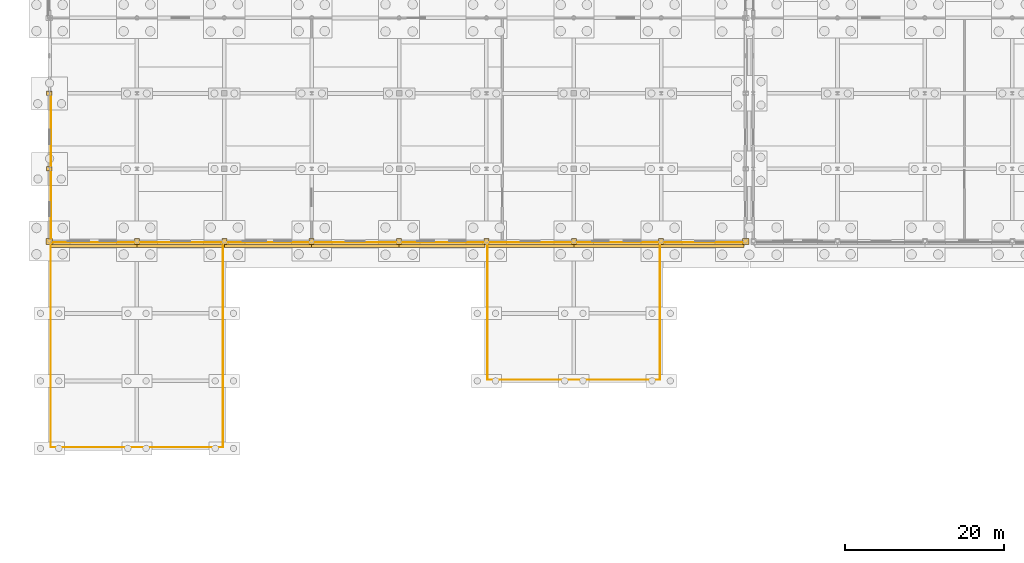
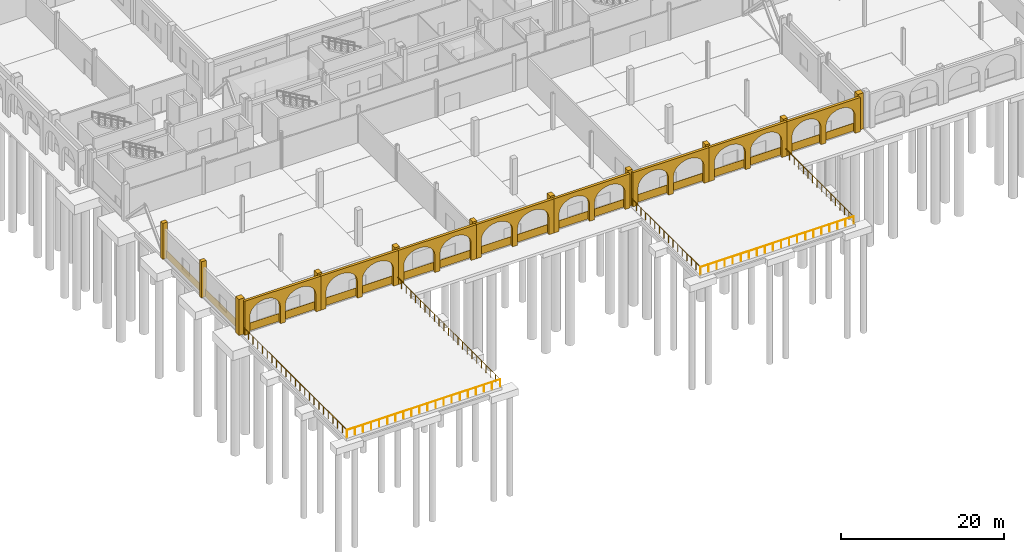
# One storey, part 65 of 83: 29 coverings, 6 railings.
"""IFC4 building model written with IfcOpenShell, lengths in metres."""

from ifc_helpers import new_model, si_unit, direction, frame, frame_2d, origin, origin_2d, place, context, subcontext, project, spatial, polyline, rectangle, circle, outline, extrude, material, layer, layer_set, type_object, element, save


model = new_model("IFC4")

# Units and contexts
model_context = context("Model", 3, precision=1e-05, world=origin(), true_north=direction((0.0, 1.0)))
body_context = subcontext(model_context, "Body", "Model", "MODEL_VIEW")
ifc_project = project(units=[si_unit("LENGTHUNIT", "METRE"), si_unit("AREAUNIT", "SQUARE_METRE"), si_unit("VOLUMEUNIT", "CUBIC_METRE"), si_unit("PLANEANGLEUNIT", "RADIAN"), si_unit("MASSUNIT", "GRAM", prefix="KILO")], contexts=[model_context])

# Site, building, storey
site_placement = place(None, origin())
site = spatial("IfcSite", under=ifc_project, at=site_placement, CompositionType="ELEMENT")
building_placement = place(site_placement, origin())
building = spatial("IfcBuilding", under=site, at=building_placement, Name="Caurita Quay Ferry Terminal", CompositionType="ELEMENT")
storey_placement = place(building_placement, origin())
storey = spatial("IfcBuildingStorey", under=building, at=storey_placement, Name="L00", CompositionType="ELEMENT", Elevation=0.0)

# Coverings
ifc_material_1 = material(Name="Warm-white lime stucco masonry", Category="masonry")
ifc_layer_1 = layer(ifc_material_1, 0.360107421875, Name="Spanish Colonial semicircular lime-stucco portales arcade 360 mm")
ifc_layer_set_1 = layer_set([ifc_layer_1], Name="Warm-white lime stucco masonry")
covering_type_1 = type_object("IfcCoveringType", Name="COV-ARC-CLD", PredefinedType="CLADDING", material=ifc_layer_set_1)
covering_1_placement = place(storey_placement, frame((0.199951171875, 34.0, 0.0), z_axis=(0.0, 0.0, 1.0), x_axis=(1.0, 0.0, 0.0)))
element("IfcCovering", 1, at=covering_1_placement, inside=storey, type_object=covering_type_1, Name="Harbourfront Coral-Stone Portales Arcade 018", PredefinedType="CLADDING", context=body_context, shape_type="SweptSolid", body=[
    extrude(outline(polyline([(0.0, 0.0), (0.719970703125, 0.0), (0.719970703125, 2.60009765625), (0.793701171875, 3.078857421875), (1.00927734375, 3.52490234375), (1.3525390625, 3.908203125), (1.800048828125, 4.2021484375), (2.321044921875, 4.386962890625), (2.880126953125, 4.449951171875), (3.43896484375, 4.386962890625), (3.9599609375, 4.2021484375), (4.407470703125, 3.908203125), (4.750732421875, 3.52490234375), (4.96630859375, 3.078857421875), (5.0400390625, 2.60009765625), (5.0400390625, 0.0), (5.760009765625, 0.0), (5.760009765625, 2.60009765625), (5.833740234375, 3.078857421875), (6.04931640625, 3.52490234375), (6.392578125, 3.908203125), (6.840087890625, 4.2021484375), (7.361083984375, 4.386962890625), (7.919921875, 4.449951171875), (8.47900390625, 4.386962890625), (9.0, 4.2021484375), (9.447509765625, 3.908203125), (9.790771484375, 3.52490234375), (10.00634765625, 3.078857421875), (10.080078125, 2.60009765625), (10.080078125, 0.0), (10.800048828125, 0.0), (10.800048828125, 5.1201171875), (0.0, 5.1201171875), (0.0, 0.0)])), frame((0.0, 0.18017578125, 0.0), z_axis=(0.0, -1.0, 0.0), x_axis=(1.0, 0.0, 0.0)), (0.0, 0.0, 1.0), 0.360107421875),
])
for number, where, z_axis, x_axis, name in (
    (2, (11.0, 34.0, 0.0), (0.0, 0.0, 1.0), (1.0, 0.0, 0.0), "Harbourfront Coral-Stone Portales Arcade 019"),
    (3, (22.0, 34.0, 0.0), (0.0, 0.0, 1.0), (1.0, 0.0, 0.0), "Harbourfront Coral-Stone Portales Arcade 020"),
    (4, (33.0, 34.0, 0.0), (0.0, 0.0, 1.0), (1.0, 0.0, 0.0), "Harbourfront Coral-Stone Portales Arcade 021"),
):
    element("IfcCovering", number, at=place(storey_placement, frame(where, z_axis=z_axis, x_axis=x_axis)), inside=storey, type_object=covering_type_1, Name=name, PredefinedType="CLADDING", context=body_context, shape_type="SweptSolid", body=[
        extrude(outline(polyline([(0.0, 0.0), (0.719970703125, 0.0), (0.719970703125, 2.60009765625), (0.79541015625, 3.078857421875), (1.01611328125, 3.52490234375), (1.3671875, 3.908203125), (1.824951171875, 4.2021484375), (2.35791015625, 4.386962890625), (2.929931640625, 4.449951171875), (3.501953125, 4.386962890625), (4.034912109375, 4.2021484375), (4.49267578125, 3.908203125), (4.843994140625, 3.52490234375), (5.064697265625, 3.078857421875), (5.139892578125, 2.60009765625), (5.139892578125, 0.0), (5.860107421875, 0.0), (5.860107421875, 2.60009765625), (5.935302734375, 3.078857421875), (6.156005859375, 3.52490234375), (6.50732421875, 3.908203125), (6.965087890625, 4.2021484375), (7.498046875, 4.386962890625), (8.070068359375, 4.449951171875), (8.64208984375, 4.386962890625), (9.175048828125, 4.2021484375), (9.6328125, 3.908203125), (9.98388671875, 3.52490234375), (10.20458984375, 3.078857421875), (10.280029296875, 2.60009765625), (10.280029296875, 0.0), (11.0, 0.0), (11.0, 5.1201171875), (0.0, 5.1201171875), (0.0, 0.0)])), frame((0.0, 0.18017578125, 0.0), z_axis=(0.0, -1.0, 0.0), x_axis=(1.0, 0.0, 0.0)), (0.0, 0.0, 1.0), 0.360107421875),
    ])
for number, where, z_axis, x_axis, name in (
    (5, (44.0, 34.0, 0.0), (0.0, 0.0, 1.0), (1.0, 0.0, 0.0), "Harbourfront Coral-Stone Portales Arcade 022"),
    (6, (55.199951171875, 34.0, 0.0), (0.0, 0.0, 1.0), (1.0, 0.0, 0.0), "Harbourfront Coral-Stone Portales Arcade 023"),
):
    element("IfcCovering", number, at=place(storey_placement, frame(where, z_axis=z_axis, x_axis=x_axis)), inside=storey, type_object=covering_type_1, Name=name, PredefinedType="CLADDING", context=body_context, shape_type="SweptSolid", body=[
        extrude(outline(polyline([(0.0, 0.0), (0.719970703125, 0.0), (0.719970703125, 2.60009765625), (0.793701171875, 3.078857421875), (1.00927734375, 3.52490234375), (1.3525390625, 3.908203125), (1.800048828125, 4.2021484375), (2.321044921875, 4.386962890625), (2.880126953125, 4.449951171875), (3.43896484375, 4.386962890625), (3.9599609375, 4.2021484375), (4.407470703125, 3.908203125), (4.750732421875, 3.52490234375), (4.96630859375, 3.078857421875), (5.0400390625, 2.60009765625), (5.0400390625, 0.0), (5.760009765625, 0.0), (5.760009765625, 2.60009765625), (5.833740234375, 3.078857421875), (6.04931640625, 3.52490234375), (6.392578125, 3.908203125), (6.840087890625, 4.2021484375), (7.361083984375, 4.386962890625), (7.919921875, 4.449951171875), (8.47900390625, 4.386962890625), (9.0, 4.2021484375), (9.447509765625, 3.908203125), (9.790771484375, 3.52490234375), (10.00634765625, 3.078857421875), (10.080078125, 2.60009765625), (10.080078125, 0.0), (10.800048828125, 0.0), (10.800048828125, 5.1201171875), (0.0, 5.1201171875), (0.0, 0.0)])), frame((0.0, 0.18017578125, 0.0), z_axis=(0.0, -1.0, 0.0), x_axis=(1.0, 0.0, 0.0)), (0.0, 0.0, 1.0), 0.360107421875),
    ])
covering_2_placement = place(storey_placement, frame((66.0, 34.0, 0.0), z_axis=(0.0, 0.0, 1.0), x_axis=(1.0, 0.0, 0.0)))
element("IfcCovering", 7, at=covering_2_placement, inside=storey, type_object=covering_type_1, Name="Harbourfront Coral-Stone Portales Arcade 024", PredefinedType="CLADDING", context=body_context, shape_type="SweptSolid", body=[
    extrude(outline(polyline([(0.0, 0.0), (0.719970703125, 0.0), (0.719970703125, 2.60009765625), (0.79541015625, 3.078857421875), (1.01611328125, 3.52490234375), (1.3671875, 3.908203125), (1.824951171875, 4.2021484375), (2.35791015625, 4.386962890625), (2.929931640625, 4.449951171875), (3.501953125, 4.386962890625), (4.034912109375, 4.2021484375), (4.49267578125, 3.908203125), (4.843994140625, 3.52490234375), (5.064697265625, 3.078857421875), (5.139892578125, 2.60009765625), (5.139892578125, 0.0), (5.860107421875, 0.0), (5.860107421875, 2.60009765625), (5.935302734375, 3.078857421875), (6.156005859375, 3.52490234375), (6.50732421875, 3.908203125), (6.965087890625, 4.2021484375), (7.498046875, 4.386962890625), (8.070068359375, 4.449951171875), (8.64208984375, 4.386962890625), (9.175048828125, 4.2021484375), (9.6328125, 3.908203125), (9.98388671875, 3.52490234375), (10.20458984375, 3.078857421875), (10.280029296875, 2.60009765625), (10.280029296875, 0.0), (11.0, 0.0), (11.0, 5.1201171875), (0.0, 5.1201171875), (0.0, 0.0)])), frame((0.0, 0.18017578125, 0.0), z_axis=(0.0, -1.0, 0.0), x_axis=(1.0, 0.0, 0.0)), (0.0, 0.0, 1.0), 0.360107421875),
])
covering_3_placement = place(storey_placement, frame((77.0, 34.0, 0.0), z_axis=(0.0, 0.0, 1.0), x_axis=(1.0, 0.0, 0.0)))
element("IfcCovering", 8, at=covering_3_placement, inside=storey, type_object=covering_type_1, Name="Harbourfront Coral-Stone Portales Arcade 025", PredefinedType="CLADDING", context=body_context, shape_type="SweptSolid", body=[
    extrude(outline(polyline([(0.0, 0.0), (0.719970703125, 0.0), (0.719970703125, 2.60009765625), (0.790283203125, 3.078857421875), (0.99609375, 3.52490234375), (1.3232421875, 3.908203125), (1.75, 4.2021484375), (2.246826171875, 4.386962890625), (2.780029296875, 4.449951171875), (3.313232421875, 4.386962890625), (3.81005859375, 4.2021484375), (4.236572265625, 3.908203125), (4.56396484375, 3.52490234375), (4.769775390625, 3.078857421875), (4.83984375, 2.60009765625), (4.83984375, 0.0), (5.56005859375, 0.0), (5.56005859375, 2.60009765625), (5.630126953125, 3.078857421875), (5.8359375, 3.52490234375), (6.163330078125, 3.908203125), (6.58984375, 4.2021484375), (7.086669921875, 4.386962890625), (7.619873046875, 4.449951171875), (8.153076171875, 4.386962890625), (8.64990234375, 4.2021484375), (9.07666015625, 3.908203125), (9.40380859375, 3.52490234375), (9.609619140625, 3.078857421875), (9.679931640625, 2.60009765625), (9.679931640625, 0.0), (10.39990234375, 0.0), (10.39990234375, 5.1201171875), (0.0, 5.1201171875), (0.0, 0.0)])), frame((0.0, 0.18017578125, 0.0), z_axis=(0.0, -1.0, 0.0), x_axis=(1.0, 0.0, 0.0)), (0.0, 0.0, 1.0), 0.360107421875),
])
ifc_material_2 = material(Name="Coral stone ashlar cladding", Category="masonry")
ifc_layer_2 = layer(ifc_material_2, 0.054931640625, Name="Rusticated coral-stone basamento plinth cladding 55 mm")
ifc_layer_set_2 = layer_set([ifc_layer_2], Name="Coral stone ashlar cladding")
covering_type_2 = type_object("IfcCoveringType", Name="COV-CORAL-CLD", PredefinedType="CLADDING", material=ifc_layer_set_2)
for number, where, z_axis, x_axis, name in (
    (9, (0.24609375, 34.405029296875, 0.0), (0.0, 0.0, 1.0), (1.0, 0.0, 0.0), "Coral-Stone Basamento Cladding 123"),
    (10, (11.24609375, 34.405029296875, 0.0), (0.0, 0.0, 1.0), (1.0, 0.0, 0.0), "Coral-Stone Basamento Cladding 124"),
    (11, (22.24609375, 34.405029296875, 0.0), (0.0, 0.0, 1.0), (1.0, 0.0, 0.0), "Coral-Stone Basamento Cladding 125"),
    (12, (33.24609375, 34.405029296875, 0.0), (0.0, 0.0, 1.0), (1.0, 0.0, 0.0), "Coral-Stone Basamento Cladding 126"),
    (13, (44.24609375, 34.405029296875, 0.0), (0.0, 0.0, 1.0), (1.0, 0.0, 0.0), "Coral-Stone Basamento Cladding 127"),
    (14, (55.24609375, 34.405029296875, 0.0), (0.0, 0.0, 1.0), (1.0, 0.0, 0.0), "Coral-Stone Basamento Cladding 128"),
    (15, (66.24609375, 34.405029296875, 0.0), (0.0, 0.0, 1.0), (1.0, 0.0, 0.0), "Coral-Stone Basamento Cladding 129"),
):
    element("IfcCovering", number, at=place(storey_placement, frame(where, z_axis=z_axis, x_axis=x_axis)), inside=storey, type_object=covering_type_2, Name=name, PredefinedType="CLADDING", context=body_context, shape_type="SweptSolid", body=[
        extrude(rectangle(XDim=10.5078125, YDim=0.054931640625, at=frame_2d((5.25390625, 0.0))), origin(), (0.0, 0.0, 1.0), 1.14990234375),
    ])
covering_4_placement = place(storey_placement, frame((77.24609375, 34.405029296875, 0.0), z_axis=(0.0, 0.0, 1.0), x_axis=(1.0, 0.0, 0.0)))
element("IfcCovering", 16, at=covering_4_placement, inside=storey, type_object=covering_type_2, Name="Coral-Stone Basamento Cladding 130", PredefinedType="CLADDING", context=body_context, shape_type="SweptSolid", body=[
    extrude(rectangle(XDim=10.10791015625, YDim=0.054931640625, at=frame_2d((5.053955078125, 0.0))), origin(), (0.0, 0.0, 1.0), 1.14990234375),
])
covering_5_placement = place(storey_placement, frame((0.195068359375, 34.845947265625, 0.0), z_axis=(0.0, 0.0, 1.0), x_axis=(0.0, 1.0, 0.0)))
element("IfcCovering", 17, at=covering_5_placement, inside=storey, type_object=covering_type_2, Name="Coral-Stone Basamento Cladding 131", PredefinedType="CLADDING", context=body_context, shape_type="SweptSolid", body=[
    extrude(rectangle(XDim=8.647705078125, YDim=0.054931640625, at=frame_2d((4.32373046875, 0.0))), origin(), (0.0, 0.0, 1.0), 1.14990234375),
])
covering_6_placement = place(storey_placement, frame((0.195068359375, 43.90625, 0.0), z_axis=(0.0, 0.0, 1.0), x_axis=(0.0, 1.0, 0.0)))
element("IfcCovering", 18, at=covering_6_placement, inside=storey, type_object=covering_type_2, Name="Coral-Stone Basamento Cladding 132", PredefinedType="CLADDING", context=body_context, shape_type="SweptSolid", body=[
    extrude(rectangle(XDim=9.08740234375, YDim=0.054931640625, at=frame_2d((4.543701171875, 0.0))), origin(), (0.0, 0.0, 1.0), 1.14990234375),
])
ifc_layer_3 = layer(ifc_material_1, 0.179931640625, Name="Classical engaged lime-stucco facade pilaster cladding 180 mm")
ifc_layer_set_3 = layer_set([ifc_layer_3], Name="Warm-white lime stucco masonry")
covering_type_3 = type_object("IfcCoveringType", Name="COV-PIL-CLD", PredefinedType="CLADDING", material=ifc_layer_set_3)
covering_7_placement = place(storey_placement, frame((-0.050048828125, 34.550048828125, 0.0), z_axis=(0.0, 0.0, 1.0), x_axis=(1.0, 0.0, 0.0)))
element("IfcCovering", 19, at=covering_7_placement, inside=storey, type_object=covering_type_3, Name="L00 Classical Engaged Pilaster 0001", PredefinedType="CLADDING", context=body_context, shape_type="SweptSolid", body=[
    extrude(rectangle(XDim=0.7880859375, YDim=0.7880859375, at=origin_2d()), origin(), (0.0, 0.0, 1.0), 5.39990234375),
])
for number, where, z_axis, x_axis, name in (
    (20, (-0.050048828125, 43.699951171875, 0.0), (0.0, 0.0, 1.0), (1.0, 0.0, 0.0), "L00 Classical Engaged Pilaster 0008"),
    (21, (-0.050048828125, 53.199951171875, 0.0), (0.0, 0.0, 1.0), (1.0, 0.0, 0.0), "L00 Classical Engaged Pilaster 0011"),
):
    element("IfcCovering", number, at=place(storey_placement, frame(where, z_axis=z_axis, x_axis=x_axis)), inside=storey, type_object=covering_type_3, Name=name, PredefinedType="CLADDING", context=body_context, shape_type="SweptSolid", body=[
        extrude(rectangle(XDim=0.686279296875, YDim=0.53662109375, at=origin_2d()), origin(), (0.0, 0.0, 1.0), 5.39990234375),
    ])
for number, where, z_axis, x_axis, name in (
    (22, (11.0, 34.550048828125, 0.0), (0.0, 0.0, 1.0), (1.0, 0.0, 0.0), "L00 Classical Engaged Pilaster 0018"),
    (23, (22.0, 34.550048828125, 0.0), (0.0, 0.0, 1.0), (1.0, 0.0, 0.0), "L00 Classical Engaged Pilaster 0026"),
    (24, (33.0, 34.550048828125, 0.0), (0.0, 0.0, 1.0), (1.0, 0.0, 0.0), "L00 Classical Engaged Pilaster 0033"),
    (25, (44.0, 34.550048828125, 0.0), (0.0, 0.0, 1.0), (1.0, 0.0, 0.0), "L00 Classical Engaged Pilaster 0040"),
    (26, (55.0, 34.550048828125, 0.0), (0.0, 0.0, 1.0), (1.0, 0.0, 0.0), "L00 Classical Engaged Pilaster 0047"),
    (27, (66.0, 34.550048828125, 0.0), (0.0, 0.0, 1.0), (1.0, 0.0, 0.0), "L00 Classical Engaged Pilaster 0054"),
    (28, (77.0, 34.550048828125, 0.0), (0.0, 0.0, 1.0), (1.0, 0.0, 0.0), "L00 Classical Engaged Pilaster 0061"),
):
    element("IfcCovering", number, at=place(storey_placement, frame(where, z_axis=z_axis, x_axis=x_axis)), inside=storey, type_object=covering_type_3, Name=name, PredefinedType="CLADDING", context=body_context, shape_type="SweptSolid", body=[
        extrude(rectangle(XDim=0.6279296875, YDim=0.7880859375, at=origin_2d()), origin(), (0.0, 0.0, 1.0), 5.39990234375),
    ])
covering_8_placement = place(storey_placement, frame((87.64990234375, 34.550048828125, 0.0), z_axis=(0.0, 0.0, 1.0), x_axis=(1.0, 0.0, 0.0)))
element("IfcCovering", 29, at=covering_8_placement, inside=storey, type_object=covering_type_3, Name="L00 Classical Engaged Pilaster 0069", PredefinedType="CLADDING", context=body_context, shape_type="SweptSolid", body=[
    extrude(rectangle(XDim=0.7880859375, YDim=0.7880859375, at=origin_2d()), origin(), (0.0, 0.0, 1.0), 5.39990234375),
])

# Railings
ifc_material_3 = material(Name="Bronze architectural metalwork", Category="metal")
railing_type = type_object("IfcRailingType", Name="RL-QUAY-115", PredefinedType="GUARDRAIL", material=ifc_material_3)
railing_1_placement = place(storey_placement, frame((0.14990234375, 34.0, 0.0)))
element("IfcRailing", 30, at=railing_1_placement, inside=storey, type_object=railing_type, Name="West Quay Pier Guardrail (001)", PredefinedType="GUARDRAIL", context=body_context, shape_type="SweptSolid", body=[
    extrude(circle(Radius=0.02392578125, at=origin_2d()), frame((0.0, 0.0, 1.1259765625), z_axis=(0.0, -1.0, 0.0), x_axis=(1.0, 0.0, 0.0)), (0.0, 0.0, 1.0), 25.35009765625),
    extrude(circle(Radius=0.02099609375, at=origin_2d()), origin(), (0.0, 0.0, 1.0), 1.101806640625),
    extrude(circle(Radius=0.02099609375, at=origin_2d()), frame((0.0, -1.15234375, 0.0)), (0.0, 0.0, 1.0), 1.101806640625),
    extrude(circle(Radius=0.02099609375, at=origin_2d()), frame((0.0, -2.304443359375, 0.0)), (0.0, 0.0, 1.0), 1.101806640625),
    extrude(circle(Radius=0.02099609375, at=origin_2d()), frame((0.0, -3.456787109375, 0.0)), (0.0, 0.0, 1.0), 1.101806640625),
    extrude(circle(Radius=0.02099609375, at=origin_2d()), frame((0.0, -4.609130859375, 0.0)), (0.0, 0.0, 1.0), 1.101806640625),
    extrude(circle(Radius=0.02099609375, at=origin_2d()), frame((0.0, -5.761474609375, 0.0)), (0.0, 0.0, 1.0), 1.101806640625),
    extrude(circle(Radius=0.02099609375, at=origin_2d()), frame((0.0, -6.91357421875, 0.0)), (0.0, 0.0, 1.0), 1.101806640625),
    extrude(circle(Radius=0.02099609375, at=origin_2d()), frame((0.0, -8.06591796875, 0.0)), (0.0, 0.0, 1.0), 1.101806640625),
    extrude(circle(Radius=0.02099609375, at=origin_2d()), frame((0.0, -9.21826171875, 0.0)), (0.0, 0.0, 1.0), 1.101806640625),
    extrude(circle(Radius=0.02099609375, at=origin_2d()), frame((0.0, -10.37060546875, 0.0)), (0.0, 0.0, 1.0), 1.101806640625),
    extrude(circle(Radius=0.02099609375, at=origin_2d()), frame((0.0, -11.522705078125, 0.0)), (0.0, 0.0, 1.0), 1.101806640625),
    extrude(circle(Radius=0.02099609375, at=origin_2d()), frame((0.0, -12.675048828125, 0.0)), (0.0, 0.0, 1.0), 1.101806640625),
    extrude(circle(Radius=0.02099609375, at=origin_2d()), frame((0.0, -13.827392578125, 0.0)), (0.0, 0.0, 1.0), 1.101806640625),
    extrude(circle(Radius=0.02099609375, at=origin_2d()), frame((0.0, -14.9794921875, 0.0)), (0.0, 0.0, 1.0), 1.101806640625),
    extrude(circle(Radius=0.02099609375, at=origin_2d()), frame((0.0, -16.1318359375, 0.0)), (0.0, 0.0, 1.0), 1.101806640625),
    extrude(circle(Radius=0.02099609375, at=origin_2d()), frame((0.0, -17.2841796875, 0.0)), (0.0, 0.0, 1.0), 1.101806640625),
    extrude(circle(Radius=0.02099609375, at=origin_2d()), frame((0.0, -18.4365234375, 0.0)), (0.0, 0.0, 1.0), 1.101806640625),
    extrude(circle(Radius=0.02099609375, at=origin_2d()), frame((0.0, -19.588623046875, 0.0)), (0.0, 0.0, 1.0), 1.101806640625),
    extrude(circle(Radius=0.02099609375, at=origin_2d()), frame((0.0, -20.740966796875, 0.0)), (0.0, 0.0, 1.0), 1.101806640625),
    extrude(circle(Radius=0.02099609375, at=origin_2d()), frame((0.0, -21.893310546875, 0.0)), (0.0, 0.0, 1.0), 1.101806640625),
    extrude(circle(Radius=0.02099609375, at=origin_2d()), frame((0.0, -23.045654296875, 0.0)), (0.0, 0.0, 1.0), 1.101806640625),
    extrude(circle(Radius=0.02099609375, at=origin_2d()), frame((0.0, -24.19775390625, 0.0)), (0.0, 0.0, 1.0), 1.101806640625),
    extrude(circle(Radius=0.02099609375, at=origin_2d()), frame((0.0, -25.35009765625, 0.0)), (0.0, 0.0, 1.0), 1.101806640625),
])
railing_2_placement = place(storey_placement, frame((0.14990234375, 8.64990234375, 0.0)))
element("IfcRailing", 31, at=railing_2_placement, inside=storey, type_object=railing_type, Name="West Quay Pier Guardrail (002)", PredefinedType="GUARDRAIL", context=body_context, shape_type="SweptSolid", body=[
    extrude(circle(Radius=0.02392578125, at=origin_2d()), frame((0.0, 0.0, 1.1259765625), z_axis=(1.0, 0.0, 0.0), x_axis=(0.0, 1.0, 0.0)), (0.0, 0.0, 1.0), 21.7001953125),
    extrude(circle(Radius=0.02099609375, at=origin_2d()), origin(), (0.0, 0.0, 1.0), 1.101806640625),
    extrude(circle(Radius=0.02099609375, at=origin_2d()), frame((1.14208984375, 0.0, 0.0)), (0.0, 0.0, 1.0), 1.101806640625),
    extrude(circle(Radius=0.02099609375, at=origin_2d()), frame((2.2841796875, 0.0, 0.0)), (0.0, 0.0, 1.0), 1.101806640625),
    extrude(circle(Radius=0.02099609375, at=origin_2d()), frame((3.42626953125, 0.0, 0.0)), (0.0, 0.0, 1.0), 1.101806640625),
    extrude(circle(Radius=0.02099609375, at=origin_2d()), frame((4.568359375, 0.0, 0.0)), (0.0, 0.0, 1.0), 1.101806640625),
    extrude(circle(Radius=0.02099609375, at=origin_2d()), frame((5.710693359375, 0.0, 0.0)), (0.0, 0.0, 1.0), 1.101806640625),
    extrude(circle(Radius=0.02099609375, at=origin_2d()), frame((6.852783203125, 0.0, 0.0)), (0.0, 0.0, 1.0), 1.101806640625),
    extrude(circle(Radius=0.02099609375, at=origin_2d()), frame((7.994873046875, 0.0, 0.0)), (0.0, 0.0, 1.0), 1.101806640625),
    extrude(circle(Radius=0.02099609375, at=origin_2d()), frame((9.136962890625, 0.0, 0.0)), (0.0, 0.0, 1.0), 1.101806640625),
    extrude(circle(Radius=0.02099609375, at=origin_2d()), frame((10.279052734375, 0.0, 0.0)), (0.0, 0.0, 1.0), 1.101806640625),
    extrude(circle(Radius=0.02099609375, at=origin_2d()), frame((11.421142578125, 0.0, 0.0)), (0.0, 0.0, 1.0), 1.101806640625),
    extrude(circle(Radius=0.02099609375, at=origin_2d()), frame((12.563232421875, 0.0, 0.0)), (0.0, 0.0, 1.0), 1.101806640625),
    extrude(circle(Radius=0.02099609375, at=origin_2d()), frame((13.705322265625, 0.0, 0.0)), (0.0, 0.0, 1.0), 1.101806640625),
    extrude(circle(Radius=0.02099609375, at=origin_2d()), frame((14.847412109375, 0.0, 0.0)), (0.0, 0.0, 1.0), 1.101806640625),
    extrude(circle(Radius=0.02099609375, at=origin_2d()), frame((15.989501953125, 0.0, 0.0)), (0.0, 0.0, 1.0), 1.101806640625),
    extrude(circle(Radius=0.02099609375, at=origin_2d()), frame((17.1318359375, 0.0, 0.0)), (0.0, 0.0, 1.0), 1.101806640625),
    extrude(circle(Radius=0.02099609375, at=origin_2d()), frame((18.27392578125, 0.0, 0.0)), (0.0, 0.0, 1.0), 1.101806640625),
    extrude(circle(Radius=0.02099609375, at=origin_2d()), frame((19.416015625, 0.0, 0.0)), (0.0, 0.0, 1.0), 1.101806640625),
    extrude(circle(Radius=0.02099609375, at=origin_2d()), frame((20.55810546875, 0.0, 0.0)), (0.0, 0.0, 1.0), 1.101806640625),
    extrude(circle(Radius=0.02099609375, at=origin_2d()), frame((21.7001953125, 0.0, 0.0)), (0.0, 0.0, 1.0), 1.101806640625),
])
railing_3_placement = place(storey_placement, frame((21.85009765625, 8.64990234375, 0.0)))
element("IfcRailing", 32, at=railing_3_placement, inside=storey, type_object=railing_type, Name="West Quay Pier Guardrail (003)", PredefinedType="GUARDRAIL", context=body_context, shape_type="SweptSolid", body=[
    extrude(circle(Radius=0.02392578125, at=origin_2d()), frame((0.0, 0.0, 1.1259765625), z_axis=(0.0, 1.0, 0.0), x_axis=(-1.0, 0.0, 0.0)), (0.0, 0.0, 1.0), 25.35009765625),
    extrude(circle(Radius=0.02099609375, at=origin_2d()), origin(), (0.0, 0.0, 1.0), 1.101806640625),
    extrude(circle(Radius=0.02099609375, at=origin_2d()), frame((0.0, 1.15234375, 0.0)), (0.0, 0.0, 1.0), 1.101806640625),
    extrude(circle(Radius=0.02099609375, at=origin_2d()), frame((0.0, 2.304443359375, 0.0)), (0.0, 0.0, 1.0), 1.101806640625),
    extrude(circle(Radius=0.02099609375, at=origin_2d()), frame((0.0, 3.456787109375, 0.0)), (0.0, 0.0, 1.0), 1.101806640625),
    extrude(circle(Radius=0.02099609375, at=origin_2d()), frame((0.0, 4.609130859375, 0.0)), (0.0, 0.0, 1.0), 1.101806640625),
    extrude(circle(Radius=0.02099609375, at=origin_2d()), frame((0.0, 5.761474609375, 0.0)), (0.0, 0.0, 1.0), 1.101806640625),
    extrude(circle(Radius=0.02099609375, at=origin_2d()), frame((0.0, 6.91357421875, 0.0)), (0.0, 0.0, 1.0), 1.101806640625),
    extrude(circle(Radius=0.02099609375, at=origin_2d()), frame((0.0, 8.06591796875, 0.0)), (0.0, 0.0, 1.0), 1.101806640625),
    extrude(circle(Radius=0.02099609375, at=origin_2d()), frame((0.0, 9.21826171875, 0.0)), (0.0, 0.0, 1.0), 1.101806640625),
    extrude(circle(Radius=0.02099609375, at=origin_2d()), frame((0.0, 10.37060546875, 0.0)), (0.0, 0.0, 1.0), 1.101806640625),
    extrude(circle(Radius=0.02099609375, at=origin_2d()), frame((0.0, 11.522705078125, 0.0)), (0.0, 0.0, 1.0), 1.101806640625),
    extrude(circle(Radius=0.02099609375, at=origin_2d()), frame((0.0, 12.675048828125, 0.0)), (0.0, 0.0, 1.0), 1.101806640625),
    extrude(circle(Radius=0.02099609375, at=origin_2d()), frame((0.0, 13.827392578125, 0.0)), (0.0, 0.0, 1.0), 1.101806640625),
    extrude(circle(Radius=0.02099609375, at=origin_2d()), frame((0.0, 14.9794921875, 0.0)), (0.0, 0.0, 1.0), 1.101806640625),
    extrude(circle(Radius=0.02099609375, at=origin_2d()), frame((0.0, 16.1318359375, 0.0)), (0.0, 0.0, 1.0), 1.101806640625),
    extrude(circle(Radius=0.02099609375, at=origin_2d()), frame((0.0, 17.2841796875, 0.0)), (0.0, 0.0, 1.0), 1.101806640625),
    extrude(circle(Radius=0.02099609375, at=origin_2d()), frame((0.0, 18.4365234375, 0.0)), (0.0, 0.0, 1.0), 1.101806640625),
    extrude(circle(Radius=0.02099609375, at=origin_2d()), frame((0.0, 19.588623046875, 0.0)), (0.0, 0.0, 1.0), 1.101806640625),
    extrude(circle(Radius=0.02099609375, at=origin_2d()), frame((0.0, 20.740966796875, 0.0)), (0.0, 0.0, 1.0), 1.101806640625),
    extrude(circle(Radius=0.02099609375, at=origin_2d()), frame((0.0, 21.893310546875, 0.0)), (0.0, 0.0, 1.0), 1.101806640625),
    extrude(circle(Radius=0.02099609375, at=origin_2d()), frame((0.0, 23.045654296875, 0.0)), (0.0, 0.0, 1.0), 1.101806640625),
    extrude(circle(Radius=0.02099609375, at=origin_2d()), frame((0.0, 24.19775390625, 0.0)), (0.0, 0.0, 1.0), 1.101806640625),
    extrude(circle(Radius=0.02099609375, at=origin_2d()), frame((0.0, 25.35009765625, 0.0)), (0.0, 0.0, 1.0), 1.101806640625),
])
railing_4_placement = place(storey_placement, frame((55.14990234375, 34.0, 0.0)))
element("IfcRailing", 33, at=railing_4_placement, inside=storey, type_object=railing_type, Name="Central Quay Pier Guardrail (004)", PredefinedType="GUARDRAIL", context=body_context, shape_type="SweptSolid", body=[
    extrude(circle(Radius=0.02392578125, at=origin_2d()), frame((0.0, 0.0, 1.1259765625), z_axis=(0.0, -1.0, 0.0), x_axis=(1.0, 0.0, 0.0)), (0.0, 0.0, 1.0), 16.85009765625),
    extrude(circle(Radius=0.02099609375, at=origin_2d()), origin(), (0.0, 0.0, 1.0), 1.101806640625),
    extrude(circle(Radius=0.02099609375, at=origin_2d()), frame((0.0, -1.123291015625, 0.0)), (0.0, 0.0, 1.0), 1.101806640625),
    extrude(circle(Radius=0.02099609375, at=origin_2d()), frame((0.0, -2.24658203125, 0.0)), (0.0, 0.0, 1.0), 1.101806640625),
    extrude(circle(Radius=0.02099609375, at=origin_2d()), frame((0.0, -3.3701171875, 0.0)), (0.0, 0.0, 1.0), 1.101806640625),
    extrude(circle(Radius=0.02099609375, at=origin_2d()), frame((0.0, -4.493408203125, 0.0)), (0.0, 0.0, 1.0), 1.101806640625),
    extrude(circle(Radius=0.02099609375, at=origin_2d()), frame((0.0, -5.61669921875, 0.0)), (0.0, 0.0, 1.0), 1.101806640625),
    extrude(circle(Radius=0.02099609375, at=origin_2d()), frame((0.0, -6.739990234375, 0.0)), (0.0, 0.0, 1.0), 1.101806640625),
    extrude(circle(Radius=0.02099609375, at=origin_2d()), frame((0.0, -7.86328125, 0.0)), (0.0, 0.0, 1.0), 1.101806640625),
    extrude(circle(Radius=0.02099609375, at=origin_2d()), frame((0.0, -8.98681640625, 0.0)), (0.0, 0.0, 1.0), 1.101806640625),
    extrude(circle(Radius=0.02099609375, at=origin_2d()), frame((0.0, -10.110107421875, 0.0)), (0.0, 0.0, 1.0), 1.101806640625),
    extrude(circle(Radius=0.02099609375, at=origin_2d()), frame((0.0, -11.2333984375, 0.0)), (0.0, 0.0, 1.0), 1.101806640625),
    extrude(circle(Radius=0.02099609375, at=origin_2d()), frame((0.0, -12.356689453125, 0.0)), (0.0, 0.0, 1.0), 1.101806640625),
    extrude(circle(Radius=0.02099609375, at=origin_2d()), frame((0.0, -13.47998046875, 0.0)), (0.0, 0.0, 1.0), 1.101806640625),
    extrude(circle(Radius=0.02099609375, at=origin_2d()), frame((0.0, -14.603515625, 0.0)), (0.0, 0.0, 1.0), 1.101806640625),
    extrude(circle(Radius=0.02099609375, at=origin_2d()), frame((0.0, -15.726806640625, 0.0)), (0.0, 0.0, 1.0), 1.101806640625),
    extrude(circle(Radius=0.02099609375, at=origin_2d()), frame((0.0, -16.85009765625, 0.0)), (0.0, 0.0, 1.0), 1.101806640625),
])
railing_5_placement = place(storey_placement, frame((55.14990234375, 17.14990234375, 0.0)))
element("IfcRailing", 34, at=railing_5_placement, inside=storey, type_object=railing_type, Name="Central Quay Pier Guardrail (005)", PredefinedType="GUARDRAIL", context=body_context, shape_type="SweptSolid", body=[
    extrude(circle(Radius=0.02392578125, at=origin_2d()), frame((0.0, 0.0, 1.1259765625), z_axis=(1.0, 0.0, 0.0), x_axis=(0.0, 1.0, 0.0)), (0.0, 0.0, 1.0), 21.7001953125),
    extrude(circle(Radius=0.02099609375, at=origin_2d()), origin(), (0.0, 0.0, 1.0), 1.101806640625),
    extrude(circle(Radius=0.02099609375, at=origin_2d()), frame((1.14208984375, 0.0, 0.0)), (0.0, 0.0, 1.0), 1.101806640625),
    extrude(circle(Radius=0.02099609375, at=origin_2d()), frame((2.2841796875, 0.0, 0.0)), (0.0, 0.0, 1.0), 1.101806640625),
    extrude(circle(Radius=0.02099609375, at=origin_2d()), frame((3.42626953125, 0.0, 0.0)), (0.0, 0.0, 1.0), 1.101806640625),
    extrude(circle(Radius=0.02099609375, at=origin_2d()), frame((4.568359375, 0.0, 0.0)), (0.0, 0.0, 1.0), 1.101806640625),
    extrude(circle(Radius=0.02099609375, at=origin_2d()), frame((5.710693359375, 0.0, 0.0)), (0.0, 0.0, 1.0), 1.101806640625),
    extrude(circle(Radius=0.02099609375, at=origin_2d()), frame((6.852783203125, 0.0, 0.0)), (0.0, 0.0, 1.0), 1.101806640625),
    extrude(circle(Radius=0.02099609375, at=origin_2d()), frame((7.994873046875, 0.0, 0.0)), (0.0, 0.0, 1.0), 1.101806640625),
    extrude(circle(Radius=0.02099609375, at=origin_2d()), frame((9.136962890625, 0.0, 0.0)), (0.0, 0.0, 1.0), 1.101806640625),
    extrude(circle(Radius=0.02099609375, at=origin_2d()), frame((10.279052734375, 0.0, 0.0)), (0.0, 0.0, 1.0), 1.101806640625),
    extrude(circle(Radius=0.02099609375, at=origin_2d()), frame((11.421142578125, 0.0, 0.0)), (0.0, 0.0, 1.0), 1.101806640625),
    extrude(circle(Radius=0.02099609375, at=origin_2d()), frame((12.563232421875, 0.0, 0.0)), (0.0, 0.0, 1.0), 1.101806640625),
    extrude(circle(Radius=0.02099609375, at=origin_2d()), frame((13.705322265625, 0.0, 0.0)), (0.0, 0.0, 1.0), 1.101806640625),
    extrude(circle(Radius=0.02099609375, at=origin_2d()), frame((14.847412109375, 0.0, 0.0)), (0.0, 0.0, 1.0), 1.101806640625),
    extrude(circle(Radius=0.02099609375, at=origin_2d()), frame((15.989501953125, 0.0, 0.0)), (0.0, 0.0, 1.0), 1.101806640625),
    extrude(circle(Radius=0.02099609375, at=origin_2d()), frame((17.1318359375, 0.0, 0.0)), (0.0, 0.0, 1.0), 1.101806640625),
    extrude(circle(Radius=0.02099609375, at=origin_2d()), frame((18.27392578125, 0.0, 0.0)), (0.0, 0.0, 1.0), 1.101806640625),
    extrude(circle(Radius=0.02099609375, at=origin_2d()), frame((19.416015625, 0.0, 0.0)), (0.0, 0.0, 1.0), 1.101806640625),
    extrude(circle(Radius=0.02099609375, at=origin_2d()), frame((20.55810546875, 0.0, 0.0)), (0.0, 0.0, 1.0), 1.101806640625),
    extrude(circle(Radius=0.02099609375, at=origin_2d()), frame((21.7001953125, 0.0, 0.0)), (0.0, 0.0, 1.0), 1.101806640625),
])
railing_6_placement = place(storey_placement, frame((76.85009765625, 17.14990234375, 0.0)))
element("IfcRailing", 35, at=railing_6_placement, inside=storey, type_object=railing_type, Name="Central Quay Pier Guardrail (006)", PredefinedType="GUARDRAIL", context=body_context, shape_type="SweptSolid", body=[
    extrude(circle(Radius=0.02392578125, at=origin_2d()), frame((0.0, 0.0, 1.1259765625), z_axis=(0.0, 1.0, 0.0), x_axis=(-1.0, 0.0, 0.0)), (0.0, 0.0, 1.0), 16.85009765625),
    extrude(circle(Radius=0.02099609375, at=origin_2d()), origin(), (0.0, 0.0, 1.0), 1.101806640625),
    extrude(circle(Radius=0.02099609375, at=origin_2d()), frame((0.0, 1.123291015625, 0.0)), (0.0, 0.0, 1.0), 1.101806640625),
    extrude(circle(Radius=0.02099609375, at=origin_2d()), frame((0.0, 2.24658203125, 0.0)), (0.0, 0.0, 1.0), 1.101806640625),
    extrude(circle(Radius=0.02099609375, at=origin_2d()), frame((0.0, 3.3701171875, 0.0)), (0.0, 0.0, 1.0), 1.101806640625),
    extrude(circle(Radius=0.02099609375, at=origin_2d()), frame((0.0, 4.493408203125, 0.0)), (0.0, 0.0, 1.0), 1.101806640625),
    extrude(circle(Radius=0.02099609375, at=origin_2d()), frame((0.0, 5.61669921875, 0.0)), (0.0, 0.0, 1.0), 1.101806640625),
    extrude(circle(Radius=0.02099609375, at=origin_2d()), frame((0.0, 6.739990234375, 0.0)), (0.0, 0.0, 1.0), 1.101806640625),
    extrude(circle(Radius=0.02099609375, at=origin_2d()), frame((0.0, 7.86328125, 0.0)), (0.0, 0.0, 1.0), 1.101806640625),
    extrude(circle(Radius=0.02099609375, at=origin_2d()), frame((0.0, 8.98681640625, 0.0)), (0.0, 0.0, 1.0), 1.101806640625),
    extrude(circle(Radius=0.02099609375, at=origin_2d()), frame((0.0, 10.110107421875, 0.0)), (0.0, 0.0, 1.0), 1.101806640625),
    extrude(circle(Radius=0.02099609375, at=origin_2d()), frame((0.0, 11.2333984375, 0.0)), (0.0, 0.0, 1.0), 1.101806640625),
    extrude(circle(Radius=0.02099609375, at=origin_2d()), frame((0.0, 12.356689453125, 0.0)), (0.0, 0.0, 1.0), 1.101806640625),
    extrude(circle(Radius=0.02099609375, at=origin_2d()), frame((0.0, 13.47998046875, 0.0)), (0.0, 0.0, 1.0), 1.101806640625),
    extrude(circle(Radius=0.02099609375, at=origin_2d()), frame((0.0, 14.603515625, 0.0)), (0.0, 0.0, 1.0), 1.101806640625),
    extrude(circle(Radius=0.02099609375, at=origin_2d()), frame((0.0, 15.726806640625, 0.0)), (0.0, 0.0, 1.0), 1.101806640625),
    extrude(circle(Radius=0.02099609375, at=origin_2d()), frame((0.0, 16.85009765625, 0.0)), (0.0, 0.0, 1.0), 1.101806640625),
])

save(model, "model.ifc")
